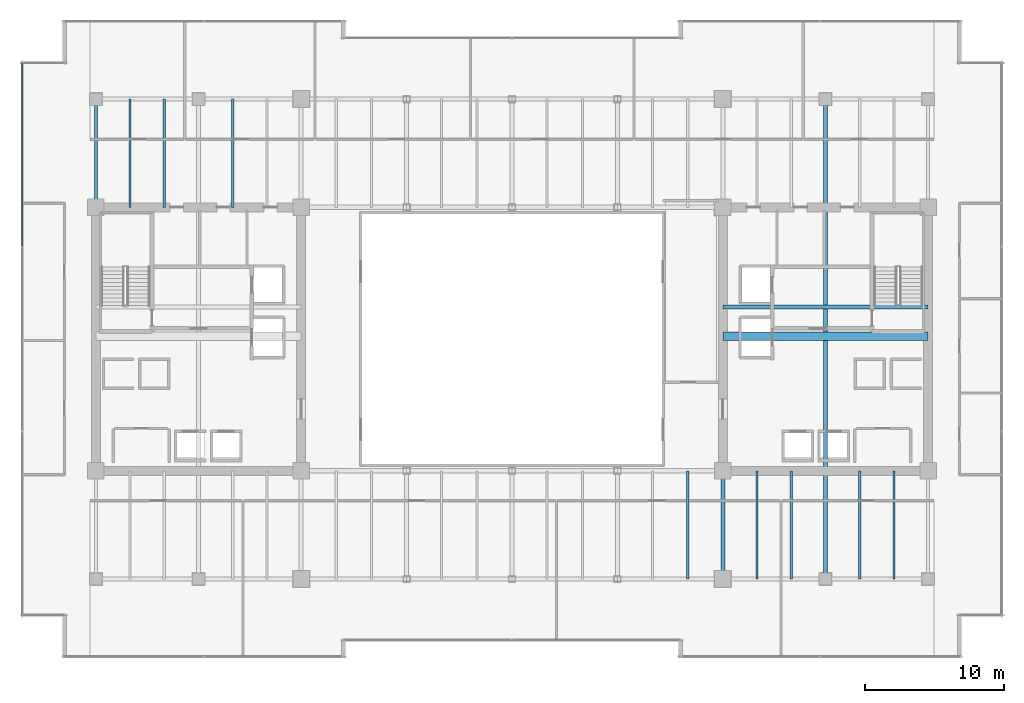
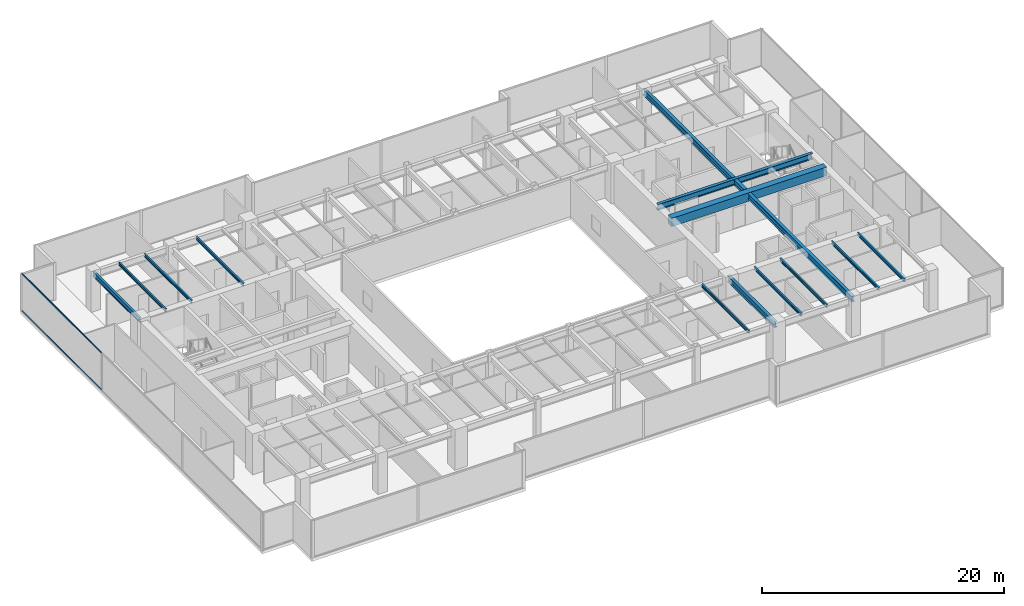
# One storey, part 13 of 33: 13 beams, 2 members, 1 element without a shape of its own.
"""IFC4 building model written with IfcOpenShell, lengths in metres."""

from ifc_helpers import new_model, si_unit, direction, frame, origin, origin_2d, place, context, subcontext, project, spatial, rectangle, hollow_rectangle, i_section, extrude, source, transform, mapped, material, layer, layer_set, material_profile, profile_set, type_object, type_shapes, element, aggregate, save


model = new_model("IFC4")

# Units and contexts
model_context = context("Model", 3, precision=1e-05, world=origin(), true_north=direction((0.0, 1.0)))
body_context = subcontext(model_context, "Body", "Model", "MODEL_VIEW")
ifc_project = project(units=[si_unit("LENGTHUNIT", "METRE"), si_unit("AREAUNIT", "SQUARE_METRE"), si_unit("VOLUMEUNIT", "CUBIC_METRE"), si_unit("PLANEANGLEUNIT", "RADIAN"), si_unit("MASSUNIT", "GRAM", prefix="KILO")], contexts=[model_context])

# Site, building, storey
site_placement = place(None, origin())
site = spatial("IfcSite", under=ifc_project, at=site_placement, CompositionType="ELEMENT")
building_placement = place(site_placement, origin())
building = spatial("IfcBuilding", under=site, at=building_placement, Name="Haelvirn Gate Laboratories", CompositionType="ELEMENT")
storey_placement = place(building_placement, frame((0.0, 0.0, 166.60009765625)))
storey = spatial("IfcBuildingStorey", under=building, at=storey_placement, Name="L40", CompositionType="ELEMENT", Elevation=166.60009765625)

# Beams
ifc_material_1 = material(Name="Steel SM355", Category="steel")
ifc_material_profile_1 = material_profile(ifc_material_1, i_section(OverallWidth=0.300048828125, OverallDepth=0.587890625, WebThickness=0.011962890625, FlangeThickness=0.02001953125, at=origin_2d()), Name="H-588x300x12x20")
ifc_profile_set_1 = profile_set([ifc_material_profile_1], Name="Steel SM355")
beam_type_1 = type_object("IfcBeamType", Name="BM-G-588", PredefinedType="BEAM", material=ifc_profile_set_1)
shared_shape_1 = source(origin(), body_context, "Body", "SweptSolid", [
    extrude(i_section(OverallWidth=0.300048828125, OverallDepth=0.587890625, WebThickness=0.011962890625, FlangeThickness=0.02001953125, at=origin_2d()), origin(), (0.0, 0.0, 1.0), 14.7998046875),
])
beam_1_placement = place(storey_placement, frame((52.60009765625, 26.6201171875, 3.495849609375), z_axis=(1.0, 0.0, 0.0), x_axis=(0.0, 1.0, 0.0)))
element("IfcBeam", 1, at=beam_1_placement, inside=storey, type_object=beam_type_1, Name="L40 Stair ST2 Landing Header", PredefinedType="BEAM", context=body_context, shape_type="MappedRepresentation", body=[
    mapped(shared_shape_1, transform((0.0, 0.0, 0.0), scale=1.0)),
])
ifc_material_profile_2 = material_profile(ifc_material_1, i_section(OverallWidth=0.199951171875, OverallDepth=0.5, WebThickness=0.010009765625, FlangeThickness=0.01611328125, at=origin_2d()), Name="H-500x200x10x16")
ifc_profile_set_2 = profile_set([ifc_material_profile_2], Name="Steel SM355")
beam_type_2 = type_object("IfcBeamType", Name="BM-SP-500", PredefinedType="SPANDREL", material=ifc_profile_set_2)
shared_shape_2 = source(origin(), body_context, "Body", "SweptSolid", [
    extrude(i_section(OverallWidth=0.199951171875, OverallDepth=0.5, WebThickness=0.010009765625, FlangeThickness=0.01611328125, at=origin_2d()), origin(), (0.0, 0.0, 1.0), 7.800048828125),
])
type_shapes(beam_type_2, [shared_shape_2])
beam_2_placement = place(storey_placement, frame((7.39990234375, 33.800048828125, 3.539794921875), z_axis=(0.0, 1.0, 0.0), x_axis=(-1.0, 0.0, 0.0)))
element("IfcBeam", 2, at=beam_2_placement, inside=storey, type_object=beam_type_2, Name="L40 Perimeter Spandrel X7.4 (33.8-41.6)", PredefinedType="SPANDREL", context=body_context, shape_type="MappedRepresentation", body=[
    mapped(shared_shape_2, transform((0.0, 0.0, 0.0), scale=1.0)),
])
ifc_material_profile_3 = material_profile(ifc_material_1, i_section(OverallWidth=0.14990234375, OverallDepth=0.300048828125, WebThickness=0.006591796875, FlangeThickness=0.009033203125, at=origin_2d()), Name="H-300x150x6.5x9")
ifc_profile_set_3 = profile_set([ifc_material_profile_3], Name="Steel SM355")
beam_type_3 = type_object("IfcBeamType", Name="BM-J-300", PredefinedType="JOIST", material=ifc_profile_set_3)
shared_shape_3 = source(origin(), body_context, "Body", "SweptSolid", [
    extrude(i_section(OverallWidth=0.14990234375, OverallDepth=0.300048828125, WebThickness=0.006591796875, FlangeThickness=0.009033203125, at=origin_2d()), origin(), (0.0, 0.0, 1.0), 7.800048828125),
])
type_shapes(beam_type_3, [shared_shape_3])
for number, where, z_axis, x_axis, name in (
    (3, (9.8701171875, 33.800048828125, 3.639892578125), (0.0, 1.0, 0.0), (-1.0, 0.0, 0.0), "L40 Composite Lab Joist North X9.87"),
    (4, (12.330078125, 33.800048828125, 3.639892578125), (0.0, 1.0, 0.0), (-1.0, 0.0, 0.0), "L40 Composite Lab Joist North X12.33"),
    (5, (17.27001953125, 33.800048828125, 3.639892578125), (0.0, 1.0, 0.0), (-1.0, 0.0, 0.0), "L40 Composite Lab Joist North X17.27"),
    (6, (50.070068359375, 7.0, 3.639892578125), (0.0, 1.0, 0.0), (-1.0, 0.0, 0.0), "L40 Composite Lab Joist South X50.07"),
    (7, (55.070068359375, 7.0, 3.639892578125), (0.0, 1.0, 0.0), (-1.0, 0.0, 0.0), "L40 Composite Lab Joist South X55.07"),
    (8, (57.530029296875, 7.0, 3.639892578125), (0.0, 1.0, 0.0), (-1.0, 0.0, 0.0), "L40 Composite Lab Joist South X57.53"),
    (9, (62.469970703125, 7.0, 3.639892578125), (0.0, 1.0, 0.0), (-1.0, 0.0, 0.0), "L40 Composite Lab Joist South X62.47"),
    (10, (64.929931640625, 7.0, 3.639892578125), (0.0, 1.0, 0.0), (-1.0, 0.0, 0.0), "L40 Composite Lab Joist South X64.93"),
):
    element("IfcBeam", number, at=place(storey_placement, frame(where, z_axis=z_axis, x_axis=x_axis)), inside=storey, type_object=beam_type_3, Name=name, PredefinedType="JOIST", context=body_context, shape_type="MappedRepresentation", body=[
        mapped(shared_shape_3, transform((0.0, 0.0, 0.0), scale=1.0)),
    ])
shared_shape_4 = source(origin(), body_context, "Body", "SweptSolid", [
    extrude(i_section(OverallWidth=0.300048828125, OverallDepth=0.587890625, WebThickness=0.011962890625, FlangeThickness=0.02001953125, at=origin_2d()), origin(), (0.0, 0.0, 1.0), 34.60009765625),
])
beam_3_placement = place(storey_placement, frame((60.0, 7.0, 3.495849609375), z_axis=(0.0, 1.0, 0.0), x_axis=(-1.0, 0.0, 0.0)))
element("IfcBeam", 11, at=beam_3_placement, inside=storey, type_object=beam_type_1, Name="L40 Frame Girder X60.0 (7.0-41.6)", PredefinedType="BEAM", context=body_context, shape_type="MappedRepresentation", body=[
    mapped(shared_shape_4, transform((0.0, 0.0, 0.0), scale=1.0)),
])
shared_shape_5 = source(origin(), body_context, "Body", "SweptSolid", [
    extrude(i_section(OverallWidth=0.300048828125, OverallDepth=0.587890625, WebThickness=0.011962890625, FlangeThickness=0.02001953125, at=origin_2d()), origin(), (0.0, 0.0, 1.0), 7.800048828125),
])
type_shapes(beam_type_1, [shared_shape_1, shared_shape_4, shared_shape_5])
beam_4_placement = place(storey_placement, frame((52.60009765625, 7.0, 3.495849609375), z_axis=(0.0, 1.0, 0.0), x_axis=(-1.0, 0.0, 0.0)))
element("IfcBeam", 12, at=beam_4_placement, inside=storey, type_object=beam_type_1, Name="L40 Frame Girder X52.6 (7.0-14.8)", PredefinedType="BEAM", context=body_context, shape_type="MappedRepresentation", body=[
    mapped(shared_shape_5, transform((0.0, 0.0, 0.0), scale=1.0)),
])
ifc_material_2 = material(Name="Concrete C50/60", Category="concrete")
ifc_material_profile_4 = material_profile(ifc_material_2, rectangle(XDim=0.60009765625, YDim=0.85009765625, at=origin_2d()), Name="RCB-600x850")
ifc_profile_set_4 = profile_set([ifc_material_profile_4], Name="Concrete C50/60")
beam_type_4 = type_object("IfcBeamType", Name="BM-RCB-850", PredefinedType="LINTEL", material=ifc_profile_set_4)
shared_shape_6 = source(origin(), body_context, "Body", "SweptSolid", [
    extrude(rectangle(XDim=0.60009765625, YDim=0.85009765625, at=origin_2d()), origin(), (0.0, 0.0, 1.0), 14.7998046875),
])
type_shapes(beam_type_4, [shared_shape_6])
beam_5_placement = place(storey_placement, frame((52.60009765625, 24.5, 3.364990234375), z_axis=(1.0, 0.0, 0.0), x_axis=(0.0, 1.0, 0.0)))
element("IfcBeam", 13, at=beam_5_placement, inside=storey, type_object=beam_type_4, Name="L40 East Core Coupling Beam", PredefinedType="LINTEL", context=body_context, shape_type="MappedRepresentation", body=[
    mapped(shared_shape_6, transform((0.0, 0.0, 0.0), scale=1.0)),
])

# Curtain wall, members
ifc_material_3 = material(Name="Anodised bronze unitised aluminium & triple low-E glass", Category="aluminium")
ifc_layer = layer(ifc_material_3, 0.179931640625, Name="CW-SYS-3")
ifc_layer_set = layer_set([ifc_layer], Name="Anodised bronze unitised aluminium & triple low-E glass")
curtain_wall_type = type_object("IfcCurtainWallType", Name="CW-SYS-3", PredefinedType="NOTDEFINED", material=ifc_layer_set)
curtain_wall_placement = place(storey_placement, origin())
curtain_wall = element("IfcCurtainWall", 14, at=curtain_wall_placement, inside=storey, type_object=curtain_wall_type, Name="L40 Unitised Curtain Wall CW-L40-P0-E17", PredefinedType="NOTDEFINED")
ifc_material_4 = material(Name="Extruded aluminium 6063-T6 (anodised bronze)", Category="aluminium")
ifc_material_profile_5 = material_profile(ifc_material_4, hollow_rectangle(XDim=0.06494140625, YDim=0.139892578125, WallThickness=0.00390625, at=origin_2d()), Name="CWT-140x65x4")
ifc_profile_set_5 = profile_set([ifc_material_profile_5], Name="Extruded aluminium 6063-T6 (anodised bronze)")
member_type = type_object("IfcMemberType", Name="CWT-T140", PredefinedType="USERDEFINED", material=ifc_profile_set_5)
shared_shape_7 = source(origin(), body_context, "Body", "SweptSolid", [
    extrude(hollow_rectangle(XDim=0.06494140625, YDim=0.139892578125, WallThickness=0.00390625, at=origin_2d()), origin(), (0.0, 0.0, 1.0), 13.220947265625),
])
type_shapes(member_type, [shared_shape_7])
member_1_placement = place(storey_placement, frame((2.10009765625, 44.22509765625, 0.032470703125), z_axis=(0.0, -1.0, 0.0), x_axis=(1.0, 0.0, 0.0)))
member_1 = element("IfcMember", 15, at=member_1_placement, type_object=member_type, Name="CW3 transom 1.1", ObjectType="TRANSOM", PredefinedType="USERDEFINED", context=body_context, shape_type="MappedRepresentation", body=[
    mapped(shared_shape_7, transform((0.0, 0.0, 0.0), scale=1.0)),
])
member_2_placement = place(storey_placement, frame((2.10009765625, 44.22509765625, 3.75732421875), z_axis=(0.0, -1.0, 0.0), x_axis=(1.0, 0.0, 0.0)))
member_2 = element("IfcMember", 16, at=member_2_placement, type_object=member_type, Name="CW3 transom 1.2", ObjectType="TRANSOM", PredefinedType="USERDEFINED", context=body_context, shape_type="MappedRepresentation", body=[
    mapped(shared_shape_7, transform((0.0, 0.0, 0.0), scale=1.0)),
])
aggregate(curtain_wall, [member_1, member_2])

save(model, "model.ifc")
